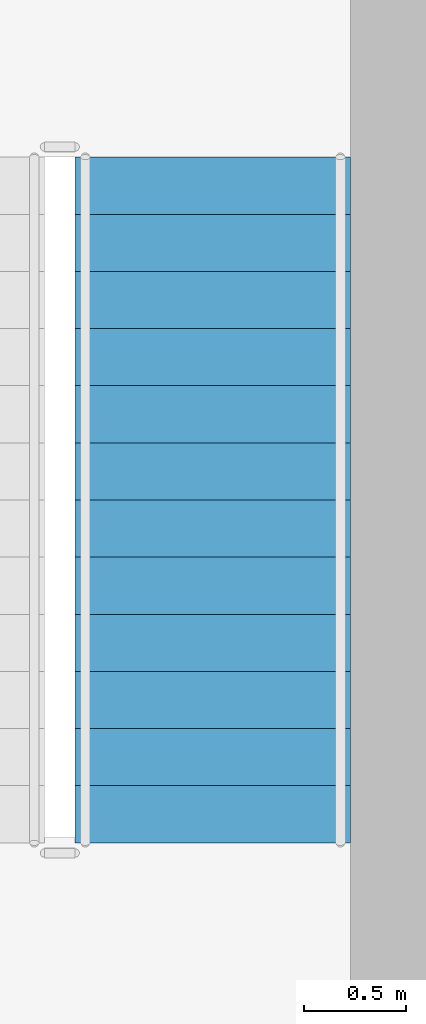
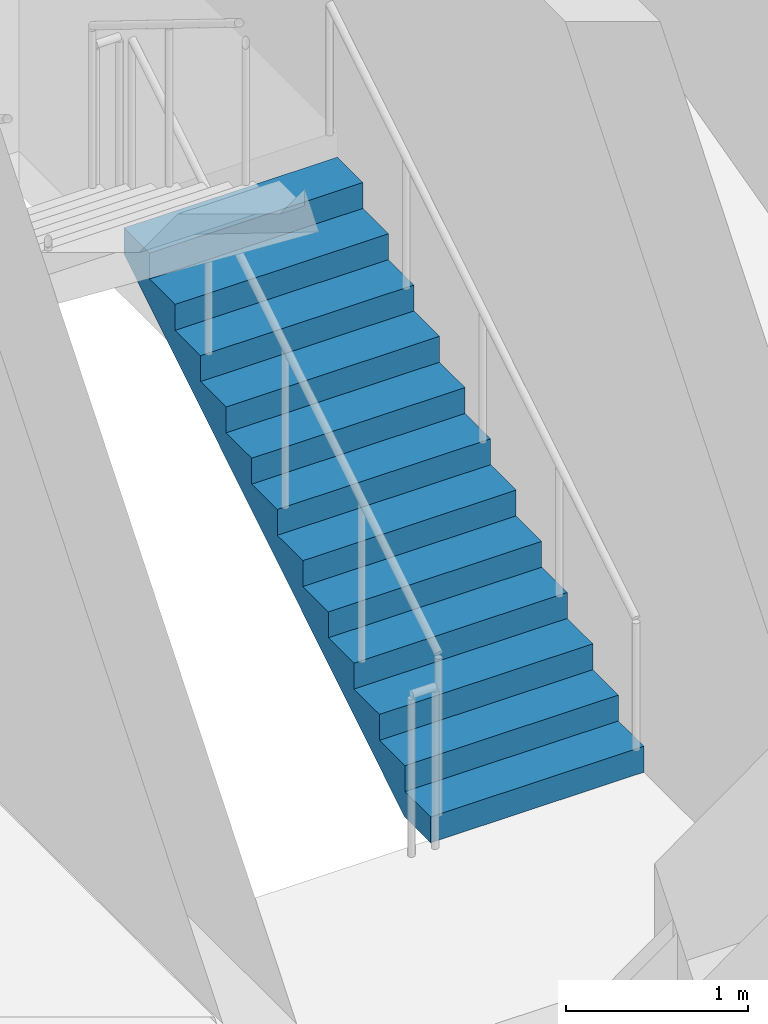
# One storey, part 4 of 6: 1 stair flight, 1 element without a shape of its own.
"""IFC4 building model written with IfcOpenShell, lengths in metres."""

import ifcopenshell
import ifcopenshell.guid

model = None  # the IFC model being written
_history = None  # IfcOwnerHistory: only IFC2X3 demands one
_inside = {}  # id of a spatial element -> (the spatial element, [elements in it])
_under = {}  # id of a project, library or spatial element -> (it, [spatial elements below it])
_declared = {}  # id of a project -> (the project, [libraries it declares])
_typed = {}  # id of a type object -> (the type object, [elements of that type])
_made_of = {}  # id of a material, layer set ... -> (it, [elements and type objects made of it])


def new_model(schema):
    """Start an empty IFC model of exactly this schema.

    Asked for "IFC4X3", IfcOpenShell would pick the latest addendum, in which some entities
    have other attributes; the version numbers below select the first issue.
    IFC2X3 requires an IfcOwnerHistory on every rooted entity: one is made here for all.
    """
    global model, _history
    if schema == "IFC4X3":
        model = ifcopenshell.file(schema_version=(4, 3, 0, 0))
    else:
        model = ifcopenshell.file(schema=schema)
    _inside.clear()
    _under.clear()
    _declared.clear()
    _typed.clear()
    _made_of.clear()
    _history = None
    if model.schema == "IFC2X3":
        org = make("IfcOrganization", Name="unknown")
        user = make(
            "IfcPersonAndOrganization",
            ThePerson=make("IfcPerson", FamilyName="unknown"),
            TheOrganization=org,
        )
        app = make(
            "IfcApplication",
            ApplicationDeveloper=org,
            Version="unknown",
            ApplicationFullName="unknown",
            ApplicationIdentifier="unknown",
        )
        _history = make(
            "IfcOwnerHistory",
            OwningUser=user,
            OwningApplication=app,
            ChangeAction="ADDED",
            CreationDate=0,
        )
    return model


def make(cls, **values):
    """One entity of the class cls with the attributes given. An attribute that is None is left unset."""
    return model.create_entity(
        cls, **{name: value for name, value in values.items() if value is not None}
    )


def rooted(cls, **values):
    """An entity with a GlobalId (a new one), such as an element, a storey or a relation."""
    return make(cls, GlobalId=ifcopenshell.guid.new(), OwnerHistory=_history, **values)


def si_unit(unit_type, name, prefix=None):
    """IfcSIUnit, for example si_unit("LENGTHUNIT", "METRE", prefix="MILLI")."""
    return make("IfcSIUnit", UnitType=unit_type, Prefix=prefix, Name=name)


def assignment(units):
    """IfcUnitAssignment: the units of a project."""
    return None if units is None else make("IfcUnitAssignment", Units=units)


def point(xyz):
    """IfcCartesianPoint."""
    return None if xyz is None else make("IfcCartesianPoint", Coordinates=xyz)


def direction(xyz):
    """IfcDirection."""
    return None if xyz is None else make("IfcDirection", DirectionRatios=xyz)


def frame(location, z_axis=None, x_axis=None):
    """IfcAxis2Placement3D, a coordinate frame: its origin and axes. An axis left out is left unset."""
    return make(
        "IfcAxis2Placement3D",
        Location=point(location),
        Axis=direction(z_axis),
        RefDirection=direction(x_axis),
    )


def origin():
    """The frame at (0, 0, 0) with its axes left unset."""
    return frame((0.0, 0.0, 0.0))


def place(relative_to, where):
    """IfcLocalPlacement: puts the frame where relative to a parent placement (None: the world)."""
    return make(
        "IfcLocalPlacement", PlacementRelTo=relative_to, RelativePlacement=where
    )


def context(
    kind, dimensions, precision=None, world=None, true_north=None, identifier=None
):
    """IfcGeometricRepresentationContext, for example the 3D "Model" context."""
    return make(
        "IfcGeometricRepresentationContext",
        ContextIdentifier=identifier,
        ContextType=kind,
        CoordinateSpaceDimension=dimensions,
        Precision=precision,
        WorldCoordinateSystem=world,
        TrueNorth=true_north,
    )


def subcontext(parent, identifier, kind, view, scale=None):
    """IfcGeometricRepresentationSubContext, for example "Body" below "Model"."""
    return make(
        "IfcGeometricRepresentationSubContext",
        ContextIdentifier=identifier,
        ContextType=kind,
        ParentContext=parent,
        TargetScale=scale,
        TargetView=view,
    )


def project(units=None, contexts=None):
    """IfcProject with its units and contexts."""
    return rooted(
        "IfcProject",
        Name="project",
        RepresentationContexts=contexts,
        UnitsInContext=assignment(units),
    )


def spatial(cls, under=None, at=None, **own):
    """A site, building, storey or space (cls), placed at a placement, below another one or the project."""
    s = rooted(cls, ObjectPlacement=at, **own)
    if under is not None:
        _under.setdefault(under.id(), (under, []))[1].append(s)
    return s


def polyline(points):
    """IfcPolyline through the points."""
    return make("IfcPolyline", Points=[point(p) for p in points])


def outline(outer, holes=None, kind="AREA"):
    """IfcArbitraryClosedProfileDef: a profile drawn as a closed curve; with holes, ...WithVoids."""
    if holes is None:
        return make("IfcArbitraryClosedProfileDef", ProfileType=kind, OuterCurve=outer)
    return make(
        "IfcArbitraryProfileDefWithVoids",
        ProfileType=kind,
        OuterCurve=outer,
        InnerCurves=holes,
    )


def extrude(swept, where, along, depth):
    """IfcExtrudedAreaSolid: the profile swept, set in the frame where, extruded along a direction by depth."""
    return make(
        "IfcExtrudedAreaSolid",
        SweptArea=swept,
        Position=where,
        ExtrudedDirection=direction(along),
        Depth=depth,
    )


def shape(context_of_items, identifier, shape_type, items):
    """IfcShapeRepresentation: the items that make up one representation, for example the "Body"."""
    return make(
        "IfcShapeRepresentation",
        ContextOfItems=context_of_items,
        RepresentationIdentifier=identifier,
        RepresentationType=shape_type,
        Items=items,
    )


def material(Name=None, Category=None):
    """IfcMaterial."""
    return make("IfcMaterial", Name=Name, Category=Category)


def layer(
    of_material, thickness, ventilated=None, Name=None, Category=None, Priority=None
):
    """IfcMaterialLayer: one layer of a wall or slab, of a material (None: an air gap)."""
    return make(
        "IfcMaterialLayer",
        Material=of_material,
        LayerThickness=thickness,
        IsVentilated=ventilated,
        Name=Name,
        Category=Category,
        Priority=Priority,
    )


def layer_set(layers, Name=None):
    """IfcMaterialLayerSet."""
    return make("IfcMaterialLayerSet", MaterialLayers=layers, LayerSetName=Name)


def made_of(thing, what):
    """Note that an element or type object is made of a material, layer set ...; save() writes the relation."""
    if what is not None:
        _made_of.setdefault(what.id(), (what, []))[1].append(thing)
    return thing


def type_object(cls, material=None, **own):
    """A type object (cls), such as IfcWallType, which elements share."""
    return made_of(rooted(cls, **own), material)


def element(
    cls,
    number,
    at=None,
    inside=None,
    cuts=None,
    type_object=None,
    material=None,
    context=None,
    identifier="Body",
    shape_type=None,
    held_by="IfcProductDefinitionShape",
    body=None,
    shapes=None,
    **own,
):
    """One element of the class cls, such as IfcWall. Its Tag is "e" and its number.

    at: its placement. inside: the storey or other place that contains it. cuts: it is an
    opening in that element (IfcRelVoidsElement). A single representation is given by context,
    identifier, shape_type and body (its items); several are given by shapes. held_by: the class
    of the entity that holds the representations. save() writes the other relations.
    """
    e = rooted(cls, Tag="e%d" % number, ObjectPlacement=at, **own)
    if body is not None:
        shapes = [shape(context, identifier, shape_type, body)]
    if shapes is not None:
        e.Representation = make(held_by, Representations=shapes)
    if inside is not None:
        _inside.setdefault(inside.id(), (inside, []))[1].append(e)
    if cuts is not None:
        rooted(
            "IfcRelVoidsElement", RelatingBuildingElement=cuts, RelatedOpeningElement=e
        )
    if type_object is not None:
        _typed.setdefault(type_object.id(), (type_object, []))[1].append(e)
    return made_of(e, material)


def aggregate(whole, parts):
    """IfcRelAggregates: a whole, such as a stair, and the parts it consists of."""
    return rooted("IfcRelAggregates", RelatingObject=whole, RelatedObjects=parts)


def save(model, path):
    """Write the relations noted so far, then the file.

    IfcRelAggregates (storeys below a building ...), IfcRelContainedInSpatialStructure (elements
    in a storey), IfcRelDefinesByType, IfcRelAssociatesMaterial and IfcRelDeclares: one each for
    every whole, place, type object, material and project.
    """
    for whole, parts in _under.values():
        aggregate(whole, parts)
    for where, things in _inside.values():
        rooted(
            "IfcRelContainedInSpatialStructure",
            RelatedElements=things,
            RelatingStructure=where,
        )
    for kind, things in _typed.values():
        rooted("IfcRelDefinesByType", RelatedObjects=things, RelatingType=kind)
    for what, things in _made_of.values():
        rooted("IfcRelAssociatesMaterial", RelatedObjects=things, RelatingMaterial=what)
    for by, libraries in _declared.values():
        rooted("IfcRelDeclares", RelatingContext=by, RelatedDefinitions=libraries)
    model.write(path)


model = new_model("IFC4")

# Units and contexts
model_context = context("Model", 3, precision=1e-05, world=origin(), true_north=direction((0.0, 1.0)))
body_context = subcontext(model_context, "Body", "Model", "MODEL_VIEW")
ifc_project = project(units=[si_unit("LENGTHUNIT", "METRE"), si_unit("AREAUNIT", "SQUARE_METRE"), si_unit("VOLUMEUNIT", "CUBIC_METRE"), si_unit("PLANEANGLEUNIT", "RADIAN"), si_unit("MASSUNIT", "GRAM", prefix="KILO")], contexts=[model_context])

# Site, building, storey
site_placement = place(None, origin())
site = spatial("IfcSite", under=ifc_project, at=site_placement, CompositionType="ELEMENT")
building_placement = place(site_placement, origin())
building = spatial("IfcBuilding", under=site, at=building_placement, Name="Kravanh Interchange Tower", CompositionType="ELEMENT")
storey_placement = place(building_placement, frame((0.0, 0.0, 277.800048828125)))
storey = spatial("IfcBuildingStorey", under=building, at=storey_placement, Name="L68", CompositionType="ELEMENT", Elevation=277.800048828125)

# Stair, stair flight
ifc_material_1 = material(Name="Concrete C50/60", Category="concrete")
stair_type = type_object("IfcStairType", Name="Core Fire Exit Dogleg Stair Concrete C50/60", PredefinedType="HALF_TURN_STAIR", material=ifc_material_1)
stair_placement = place(storey_placement, origin())
stair = element("IfcStair", 1, at=stair_placement, inside=storey, type_object=stair_type, Name="L68 Exit Stair ST1", PredefinedType="HALF_TURN_STAIR")
ifc_material_2 = material(Name="Precast Concrete C50/60", Category="concrete")
ifc_layer = layer(ifc_material_2, 0.199951171875)
ifc_layer_set = layer_set([ifc_layer], Name="Precast Concrete C50/60 Stair Flight 1350mm")
stair_flight_type = type_object("IfcStairFlightType", Name="Precast Concrete C50/60 Stair Flight 1350mm", PredefinedType="STRAIGHT", material=ifc_layer_set)
stair_flight_placement = place(storey_placement, frame((65.175048828125, 39.89990234375, 0.0), z_axis=(0.0, 0.0, 1.0), x_axis=(0.0, 1.0, 0.0)))
stair_flight = element("IfcStairFlight", 2, at=stair_flight_placement, type_object=stair_flight_type, Name="ST1 flight 1", NumberOfRisers=13, NumberOfTreads=12, PredefinedType="STRAIGHT", RiserHeight=0.173076923, TreadLength=0.28, context=body_context, shape_type="SweptSolid", body=[
    extrude(outline(polyline([(0.0, 0.0), (0.0, 0.173095703125), (0.280029296875, 0.173095703125), (0.280029296875, 0.34619140625), (0.56005859375, 0.34619140625), (0.56005859375, 0.519287109375), (0.840087890625, 0.519287109375), (0.840087890625, 0.6923828125), (1.1201171875, 0.6923828125), (1.1201171875, 0.865478515625), (1.39990234375, 0.865478515625), (1.39990234375, 1.03857421875), (1.679931640625, 1.03857421875), (1.679931640625, 1.21142578125), (1.9599609375, 1.21142578125), (1.9599609375, 1.384521484375), (2.239990234375, 1.384521484375), (2.239990234375, 1.5576171875), (2.52001953125, 1.5576171875), (2.52001953125, 1.730712890625), (2.800048828125, 1.730712890625), (2.800048828125, 1.90380859375), (3.080078125, 1.90380859375), (3.080078125, 2.076904296875), (3.360107421875, 2.076904296875), (3.360107421875, 2.25), (3.360107421875, 1.900634765625), (0.28515625, 0.0), (0.0, 0.0)])), frame((0.0, 0.675048828125, 0.0), z_axis=(0.0, -1.0, 0.0), x_axis=(1.0, 0.0, 0.0)), (0.0, 0.0, 1.0), 1.35009765625),
])
aggregate(stair, [stair_flight])

save(model, "model.ifc")
